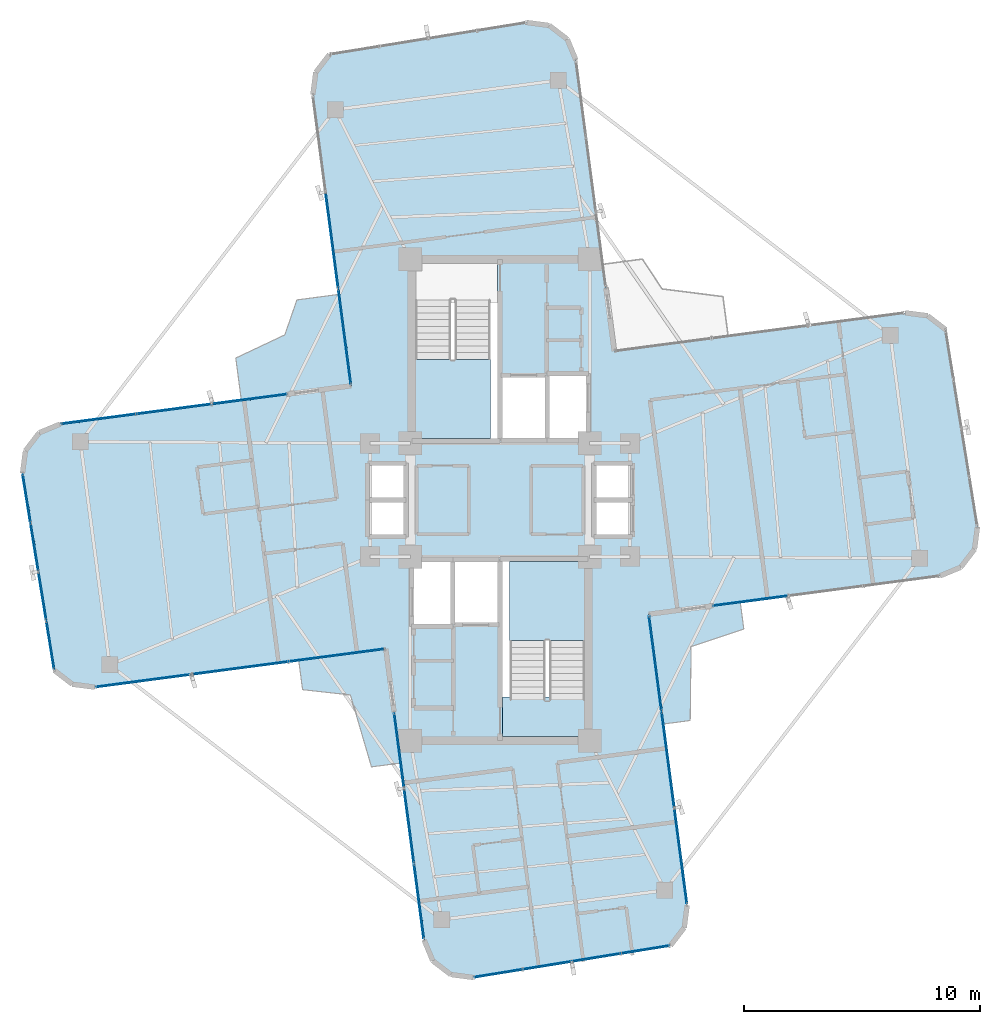
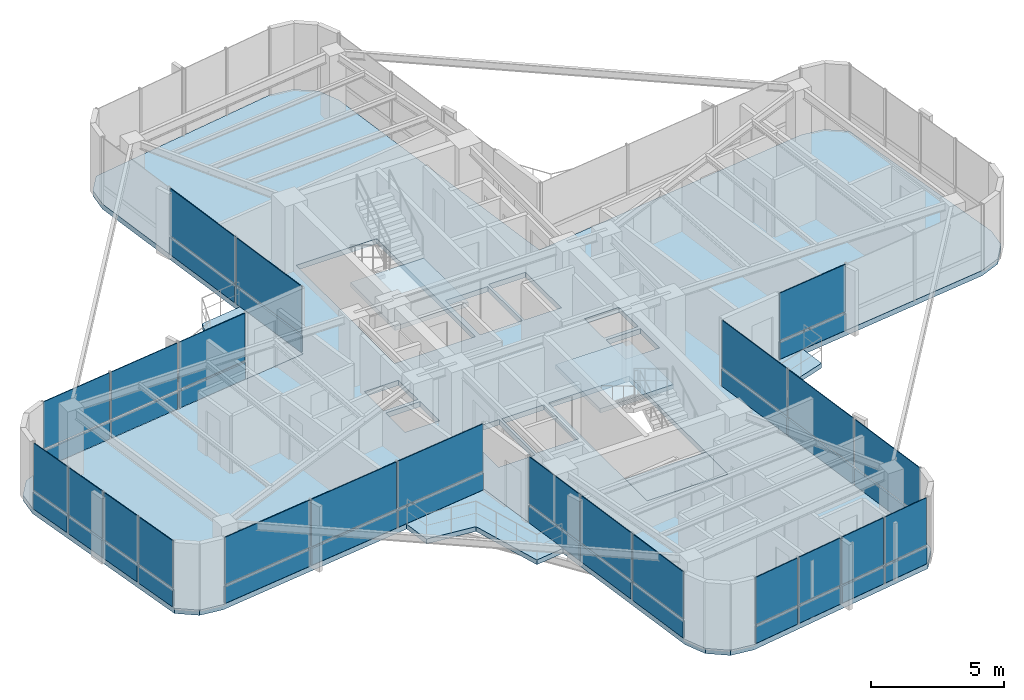
# One storey, part 17 of 22: 46 plates, 7 slabs, 10 elements without a shape of their own.
"""IFC4 building model written with IfcOpenShell, lengths in metres."""

from ifc_helpers import new_model, si_unit, direction, frame, origin, origin_2d, place, context, subcontext, project, spatial, polyline, rectangle, outline, extrude, source, transform, mapped, material, layer, layer_set, type_object, element, aggregate, save


model = new_model("IFC4")

# Units and contexts
model_context = context("Model", 3, precision=1e-05, world=origin(), true_north=direction((0.0, 1.0)))
body_context = subcontext(model_context, "Body", "Model", "MODEL_VIEW")
ifc_project = project(units=[si_unit("LENGTHUNIT", "METRE"), si_unit("AREAUNIT", "SQUARE_METRE"), si_unit("VOLUMEUNIT", "CUBIC_METRE"), si_unit("PLANEANGLEUNIT", "RADIAN"), si_unit("MASSUNIT", "GRAM", prefix="KILO")], contexts=[model_context])

# Site, building, storey
site_placement = place(None, origin())
site = spatial("IfcSite", under=ifc_project, at=site_placement, CompositionType="ELEMENT")
building_placement = place(site_placement, origin())
building = spatial("IfcBuilding", under=site, at=building_placement, Name="Sahyath Konkavel Grand Hotel", CompositionType="ELEMENT")
storey_placement = place(building_placement, frame((0.0, 0.0, 241.14990234375)))
storey = spatial("IfcBuildingStorey", under=building, at=storey_placement, Name="L67", CompositionType="ELEMENT", Elevation=241.14990234375)

# Slabs
ifc_material_1 = material(Name="Concrete C40/50", Category="concrete")
ifc_layer_1 = layer(ifc_material_1, 0.239990234375)
ifc_layer_set_1 = layer_set([ifc_layer_1], Name="Concrete C40/50")
slab_type_1 = type_object("IfcSlabType", Name="SLB-240", PredefinedType="FLOOR", material=ifc_layer_set_1)
slab_1_placement = place(storey_placement, frame((0.0, 0.0, -0.239990234375)))
element("IfcSlab", 1, at=slab_1_placement, inside=storey, type_object=slab_type_1, Name="L67 Structural Floor Slab", PredefinedType="FLOOR", context=body_context, shape_type="SweptSolid", body=[
    extrude(outline(polyline([(6.306640625, -4.839111328125), (18.63623046875, -3.216064453125), (19.52099609375, -2.849609375), (20.10400390625, -2.08984375), (20.22900390625, -1.140380859375), (18.8779296875, 7.221923828125), (18.118408203125, 7.8046875), (17.168701171875, 7.9296875), (4.839111328125, 6.306640625), (3.216064453125, 18.63623046875), (2.849609375, 19.52099609375), (2.08984375, 20.10400390625), (1.140380859375, 20.22900390625), (-7.221923828125, 18.8779296875), (-7.8046875, 18.118408203125), (-7.9296875, 17.168701171875), (-6.306640625, 4.839111328125), (-18.63623046875, 3.216064453125), (-19.52099609375, 2.849609375), (-20.10400390625, 2.08984375), (-20.22900390625, 1.140380859375), (-18.8779296875, -7.221923828125), (-18.118408203125, -7.8046875), (-17.168701171875, -7.9296875), (-4.839111328125, -6.306640625), (-3.216064453125, -18.63623046875), (-2.849609375, -19.52099609375), (-2.08984375, -20.10400390625), (-1.140380859375, -20.22900390625), (7.221923828125, -18.8779296875), (7.8046875, -18.118408203125), (7.9296875, -17.168701171875), (6.306640625, -4.839111328125)]), holes=[polyline([(-3.6201171875, 2.580078125), (-0.10009765625, 2.580078125), (-0.10009765625, 10.02001953125), (-3.6201171875, 10.02001953125), (-3.6201171875, 2.580078125)]), polyline([(0.10009765625, -10.02001953125), (3.6201171875, -10.02001953125), (3.6201171875, -2.580078125), (0.10009765625, -2.580078125), (0.10009765625, -10.02001953125)]), polyline([(0.10009765625, 2.60009765625), (1.949951171875, 2.60009765625), (1.949951171875, 5.199951171875), (0.10009765625, 5.199951171875), (0.10009765625, 2.60009765625)]), polyline([(-1.949951171875, -5.199951171875), (-0.10009765625, -5.199951171875), (-0.10009765625, -2.60009765625), (-1.949951171875, -2.60009765625), (-1.949951171875, -5.199951171875)]), polyline([(2.050048828125, 2.60009765625), (3.64990234375, 2.60009765625), (3.64990234375, 5.300048828125), (2.050048828125, 5.300048828125), (2.050048828125, 2.60009765625)]), polyline([(-3.64990234375, -5.300048828125), (-2.050048828125, -5.300048828125), (-2.050048828125, -2.60009765625), (-3.64990234375, -2.60009765625), (-3.64990234375, -5.300048828125)]), polyline([(4.050048828125, 0.080078125), (5.550048828125, 0.080078125), (5.550048828125, 1.5400390625), (4.050048828125, 1.5400390625), (4.050048828125, 0.080078125)]), polyline([(4.050048828125, -1.5400390625), (5.550048828125, -1.5400390625), (5.550048828125, -0.080078125), (4.050048828125, -0.080078125), (4.050048828125, -1.5400390625)]), polyline([(-5.550048828125, 0.080078125), (-4.050048828125, 0.080078125), (-4.050048828125, 1.5400390625), (-5.550048828125, 1.5400390625), (-5.550048828125, 0.080078125)]), polyline([(-5.550048828125, -1.5400390625), (-4.050048828125, -1.5400390625), (-4.050048828125, -0.080078125), (-5.550048828125, -0.080078125), (-5.550048828125, -1.5400390625)])]), origin(), (0.0, 0.0, 1.0), 0.239990234375),
])
ifc_layer_2 = layer(ifc_material_1, 0.219970703125)
ifc_layer_set_2 = layer_set([ifc_layer_2], Name="Concrete C40/50")
slab_type_2 = type_object("IfcSlabType", Name="SLB-BALCONY-220", PredefinedType="FLOOR", material=ifc_layer_set_2)
slab_2_placement = place(storey_placement, frame((0.0, 0.0, -0.219970703125)))
element("IfcSlab", 2, at=slab_2_placement, inside=storey, type_object=slab_type_2, Name="L67 Winter-Garden Balcony NW", PredefinedType="FLOOR", context=body_context, shape_type="SweptSolid", body=[
    extrude(outline(polyline([(-6.306640625, 4.839111328125), (-6.816650390625, 8.712890625), (-8.604736328125, 8.477294921875), (-9.1171875, 6.995849609375), (-11.19482421875, 6.014892578125), (-10.95947265625, 4.226806640625), (-6.306640625, 4.839111328125)])), origin(), (0.0, 0.0, 1.0), 0.219970703125),
])
slab_3_placement = place(storey_placement, frame((0.0, 0.0, -0.219970703125)))
element("IfcSlab", 3, at=slab_3_placement, inside=storey, type_object=slab_type_2, Name="L67 Winter-Garden Balcony SW", PredefinedType="FLOOR", context=body_context, shape_type="SweptSolid", body=[
    extrude(outline(polyline([(-4.839111328125, -6.306640625), (-8.5283203125, -6.792236328125), (-8.36474609375, -8.03515625), (-6.338134765625, -8.260009765625), (-5.4453125, -11.3076171875), (-4.202392578125, -11.143798828125), (-4.839111328125, -6.306640625)])), origin(), (0.0, 0.0, 1.0), 0.219970703125),
])
slab_4_placement = place(storey_placement, frame((0.0, 0.0, -0.219970703125)))
element("IfcSlab", 4, at=slab_4_placement, inside=storey, type_object=slab_type_2, Name="L67 Winter-Garden Balcony SE", PredefinedType="FLOOR", context=body_context, shape_type="SweptSolid", body=[
    extrude(outline(polyline([(6.306640625, -4.839111328125), (6.919189453125, -9.4921875), (8.0576171875, -9.34228515625), (8.09619140625, -6.21240234375), (10.330078125, -5.4677734375), (10.18017578125, -4.329345703125), (6.306640625, -4.839111328125)])), origin(), (0.0, 0.0, 1.0), 0.219970703125),
])

# Stair, slab
stair_type = type_object("IfcStairType", Name="STR-ST16-335", PredefinedType="HALF_TURN_STAIR", material=ifc_material_1)
stair_1_placement = place(storey_placement, origin())
stair_1 = element("IfcStair", 5, at=stair_1_placement, inside=storey, type_object=stair_type, Name="L67 North Core Smokeproof Exit Stair ST-1", PredefinedType="HALF_TURN_STAIR")
ifc_layer_3 = layer(ifc_material_1, 0.199951171875)
ifc_layer_set_3 = layer_set([ifc_layer_3], Name="Concrete C40/50")
slab_type_3 = type_object("IfcSlabType", Name="SLB-STAIR-LND", PredefinedType="LANDING", material=ifc_layer_set_3)
slab_5_placement = place(storey_placement, frame((0.0, 0.0, 1.47509765625)))
slab_5 = element("IfcSlab", 6, at=slab_5_placement, type_object=slab_type_3, Name="ST-1 landing 1", PredefinedType="LANDING", context=body_context, shape_type="SweptSolid", body=[
    extrude(outline(polyline([(-3.60009765625, 5.9599609375), (-3.60009765625, 2.60009765625), (-0.39990234375, 2.60009765625), (-0.39990234375, 5.9599609375), (-3.60009765625, 5.9599609375)])), origin(), (0.0, 0.0, 1.0), 0.199951171875),
])
aggregate(stair_1, [slab_5])

stair_2_placement = place(storey_placement, origin())
stair_2 = element("IfcStair", 7, at=stair_2_placement, inside=storey, type_object=stair_type, Name="L67 South Core Smokeproof Exit Stair ST-2", PredefinedType="HALF_TURN_STAIR")
slab_6_placement = place(storey_placement, frame((0.0, 0.0, 1.47509765625)))
slab_6 = element("IfcSlab", 8, at=slab_6_placement, type_object=slab_type_3, Name="ST-2 landing 1", PredefinedType="LANDING", context=body_context, shape_type="SweptSolid", body=[
    extrude(outline(polyline([(3.60009765625, -5.9599609375), (3.60009765625, -2.60009765625), (0.39990234375, -2.60009765625), (0.39990234375, -5.9599609375), (3.60009765625, -5.9599609375)])), origin(), (0.0, 0.0, 1.0), 0.199951171875),
])
aggregate(stair_2, [slab_6])

# Slab
slab_7_placement = place(storey_placement, frame((0.0, 0.0, -0.199951171875)))
element("IfcSlab", 9, at=slab_7_placement, inside=storey, type_object=slab_type_3, Name="L67 Stair ST-2 Floor Landing Slab", PredefinedType="LANDING", context=body_context, shape_type="SweptSolid", body=[
    extrude(outline(polyline([(0.10009765625, -10.02001953125), (3.6201171875, -10.02001953125), (3.6201171875, -8.35009765625), (0.10009765625, -8.35009765625), (0.10009765625, -10.02001953125)])), origin(), (0.0, 0.0, 1.0), 0.199951171875),
])

# Curtain wall, plate
ifc_material_2 = material(Name="Anodised Bronze Aluminium & Low-E Glazing", Category="aluminium")
curtain_wall_type = type_object("IfcCurtainWallType", Name="CW-ZONE4", PredefinedType="NOTDEFINED", material=ifc_material_2)
curtain_wall_1_placement = place(storey_placement, origin())
curtain_wall_1 = element("IfcCurtainWall", 10, at=curtain_wall_1_placement, inside=storey, type_object=curtain_wall_type, Name="L67 Unitised Curtain Wall F0", PredefinedType="NOTDEFINED")
ifc_material_3 = material(Name="Warm Buff Sandstone Cladding", Category="masonry")
ifc_layer_4 = layer(ifc_material_3, 0.074951171875)
ifc_layer_set_4 = layer_set([ifc_layer_4], Name="Warm Buff Sandstone Cladding")
plate_type_1 = type_object("IfcPlateType", Name="PNL-SPANDREL-STONE", PredefinedType="SHEET", material=ifc_layer_set_4)
shared_shape_1 = source(origin(), body_context, "Body", "SweptSolid", [
    extrude(rectangle(XDim=3.138671875, YDim=0.074951171875, at=origin_2d()), origin(), (0.0, 0.0, 1.0), 0.77001953125),
])
plate_1_placement = place(storey_placement, frame((10.61865234375, -4.271484375, 0.0400390625), z_axis=(0.0, 0.0, 1.0), x_axis=(0.991444861374, 0.13052619222, 0.0)))
plate_1 = element("IfcPlate", 11, at=plate_1_placement, type_object=plate_type_1, Name="L67 Sandstone Relief Spandrel Panel F0-0", PredefinedType="SHEET", context=body_context, shape_type="MappedRepresentation", body=[
    mapped(shared_shape_1, transform((0.0, 0.0, 0.0), scale=1.0)),
])

# Curtain wall, plates
curtain_wall_2_placement = place(storey_placement, origin())
curtain_wall_2 = element("IfcCurtainWall", 12, at=curtain_wall_2_placement, inside=storey, type_object=curtain_wall_type, Name="L67 Unitised Curtain Wall F16", PredefinedType="NOTDEFINED")
plate_2_placement = place(storey_placement, frame((-10.61865234375, 4.271484375, 0.0400390625), z_axis=(0.0, 0.0, 1.0), x_axis=(-0.991444861374, -0.13052619222, 0.0)))
plate_2 = element("IfcPlate", 13, at=plate_2_placement, type_object=plate_type_1, Name="L67 Sandstone Relief Spandrel Panel F16-0", PredefinedType="SHEET", context=body_context, shape_type="MappedRepresentation", body=[
    mapped(shared_shape_1, transform((0.0, 0.0, 0.0), scale=1.0)),
])
plate_3_placement = place(storey_placement, frame((-13.809814453125, 3.851318359375, 0.0400390625), z_axis=(0.0, 0.0, 1.0), x_axis=(-0.991444861374, -0.13052619222, 0.0)))
plate_3 = element("IfcPlate", 14, at=plate_3_placement, type_object=plate_type_1, Name="L67 Sandstone Relief Spandrel Panel F16-1", PredefinedType="SHEET", context=body_context, shape_type="MappedRepresentation", body=[
    mapped(shared_shape_1, transform((0.0, 0.0, 0.0), scale=1.0)),
])
plate_4_placement = place(storey_placement, frame((-17.0009765625, 3.431396484375, 0.0400390625), z_axis=(0.0, 0.0, 1.0), x_axis=(-0.991444861374, -0.13052619222, 0.0)))
plate_4 = element("IfcPlate", 15, at=plate_4_placement, type_object=plate_type_1, Name="L67 Sandstone Relief Spandrel Panel F16-2", PredefinedType="SHEET", context=body_context, shape_type="MappedRepresentation", body=[
    mapped(shared_shape_1, transform((0.0, 0.0, 0.0), scale=1.0)),
])

curtain_wall_3_placement = place(storey_placement, origin())
curtain_wall_3 = element("IfcCurtainWall", 16, at=curtain_wall_3_placement, inside=storey, type_object=curtain_wall_type, Name="L67 Unitised Curtain Wall F24", PredefinedType="NOTDEFINED")
plate_5_placement = place(storey_placement, frame((-4.271484375, -10.61865234375, 0.0400390625), z_axis=(0.0, 0.0, 1.0), x_axis=(0.13052619222, -0.991444861374, 0.0)))
plate_5 = element("IfcPlate", 17, at=plate_5_placement, type_object=plate_type_1, Name="L67 Sandstone Relief Spandrel Panel F24-0", PredefinedType="SHEET", context=body_context, shape_type="MappedRepresentation", body=[
    mapped(shared_shape_1, transform((0.0, 0.0, 0.0), scale=1.0)),
])
plate_6_placement = place(storey_placement, frame((-3.851318359375, -13.809814453125, 0.0400390625), z_axis=(0.0, 0.0, 1.0), x_axis=(0.13052619222, -0.991444861374, 0.0)))
plate_6 = element("IfcPlate", 18, at=plate_6_placement, type_object=plate_type_1, Name="L67 Sandstone Relief Spandrel Panel F24-1", PredefinedType="SHEET", context=body_context, shape_type="MappedRepresentation", body=[
    mapped(shared_shape_1, transform((0.0, 0.0, 0.0), scale=1.0)),
])
plate_7_placement = place(storey_placement, frame((-3.431396484375, -17.0009765625, 0.0400390625), z_axis=(0.0, 0.0, 1.0), x_axis=(0.13052619222, -0.991444861374, 0.0)))
plate_7 = element("IfcPlate", 19, at=plate_7_placement, type_object=plate_type_1, Name="L67 Sandstone Relief Spandrel Panel F24-2", PredefinedType="SHEET", context=body_context, shape_type="MappedRepresentation", body=[
    mapped(shared_shape_1, transform((0.0, 0.0, 0.0), scale=1.0)),
])

# Plate
ifc_material_4 = material(Name="Low-E Solar Control Double Glazing", Category="glass")
ifc_layer_5 = layer(ifc_material_4, 0.035888671875)
ifc_layer_set_5 = layer_set([ifc_layer_5], Name="Low-E Solar Control Double Glazing")
plate_type_2 = type_object("IfcPlateType", Name="PNL-VISION-LOWE", PredefinedType="CURTAIN_PANEL", material=ifc_layer_set_5)
shared_shape_2 = source(origin(), body_context, "Body", "SweptSolid", [
    extrude(rectangle(XDim=3.138671875, YDim=0.035888671875, at=origin_2d()), origin(), (0.0, 0.0, 1.0), 2.179931640625),
])
plate_8_placement = place(storey_placement, frame((10.61865234375, -4.271484375, 0.89013671875), z_axis=(0.0, 0.0, 1.0), x_axis=(0.991444861374, 0.13052619222, 0.0)))
plate_8 = element("IfcPlate", 20, at=plate_8_placement, type_object=plate_type_2, Name="L67 Low-E Vision Glazing Panel F0-0", PredefinedType="CURTAIN_PANEL", context=body_context, shape_type="MappedRepresentation", body=[
    mapped(shared_shape_2, transform((0.0, 0.0, 0.0), scale=1.0)),
])

aggregate(curtain_wall_1, [plate_1, plate_8])

plate_9_placement = place(storey_placement, frame((-10.61865234375, 4.271484375, 0.89013671875), z_axis=(0.0, 0.0, 1.0), x_axis=(-0.991444861374, -0.13052619222, 0.0)))
plate_9 = element("IfcPlate", 21, at=plate_9_placement, type_object=plate_type_2, Name="L67 Low-E Vision Glazing Panel F16-0", PredefinedType="CURTAIN_PANEL", context=body_context, shape_type="MappedRepresentation", body=[
    mapped(shared_shape_2, transform((0.0, 0.0, 0.0), scale=1.0)),
])

plate_10_placement = place(storey_placement, frame((-13.809814453125, 3.851318359375, 0.89013671875), z_axis=(0.0, 0.0, 1.0), x_axis=(-0.991444861374, -0.13052619222, 0.0)))
plate_10 = element("IfcPlate", 22, at=plate_10_placement, type_object=plate_type_2, Name="L67 Low-E Vision Glazing Panel F16-1", PredefinedType="CURTAIN_PANEL", context=body_context, shape_type="MappedRepresentation", body=[
    mapped(shared_shape_2, transform((0.0, 0.0, 0.0), scale=1.0)),
])

plate_11_placement = place(storey_placement, frame((-17.0009765625, 3.431396484375, 0.89013671875), z_axis=(0.0, 0.0, 1.0), x_axis=(-0.991444861374, -0.13052619222, 0.0)))
plate_11 = element("IfcPlate", 23, at=plate_11_placement, type_object=plate_type_2, Name="L67 Low-E Vision Glazing Panel F16-2", PredefinedType="CURTAIN_PANEL", context=body_context, shape_type="MappedRepresentation", body=[
    mapped(shared_shape_2, transform((0.0, 0.0, 0.0), scale=1.0)),
])

aggregate(curtain_wall_2, [plate_2, plate_9, plate_3, plate_10, plate_4, plate_11])

plate_12_placement = place(storey_placement, frame((-4.271484375, -10.61865234375, 0.89013671875), z_axis=(0.0, 0.0, 1.0), x_axis=(0.13052619222, -0.991444861374, 0.0)))
plate_12 = element("IfcPlate", 24, at=plate_12_placement, type_object=plate_type_2, Name="L67 Low-E Vision Glazing Panel F24-0", PredefinedType="CURTAIN_PANEL", context=body_context, shape_type="MappedRepresentation", body=[
    mapped(shared_shape_2, transform((0.0, 0.0, 0.0), scale=1.0)),
])

plate_13_placement = place(storey_placement, frame((-3.851318359375, -13.809814453125, 0.89013671875), z_axis=(0.0, 0.0, 1.0), x_axis=(0.13052619222, -0.991444861374, 0.0)))
plate_13 = element("IfcPlate", 25, at=plate_13_placement, type_object=plate_type_2, Name="L67 Low-E Vision Glazing Panel F24-1", PredefinedType="CURTAIN_PANEL", context=body_context, shape_type="MappedRepresentation", body=[
    mapped(shared_shape_2, transform((0.0, 0.0, 0.0), scale=1.0)),
])

plate_14_placement = place(storey_placement, frame((-3.431396484375, -17.0009765625, 0.89013671875), z_axis=(0.0, 0.0, 1.0), x_axis=(0.13052619222, -0.991444861374, 0.0)))
plate_14 = element("IfcPlate", 26, at=plate_14_placement, type_object=plate_type_2, Name="L67 Low-E Vision Glazing Panel F24-2", PredefinedType="CURTAIN_PANEL", context=body_context, shape_type="MappedRepresentation", body=[
    mapped(shared_shape_2, transform((0.0, 0.0, 0.0), scale=1.0)),
])

aggregate(curtain_wall_3, [plate_5, plate_12, plate_6, plate_13, plate_7, plate_14])

# Curtain wall, plates
curtain_wall_4_placement = place(storey_placement, origin())
curtain_wall_4 = element("IfcCurtainWall", 27, at=curtain_wall_4_placement, inside=storey, type_object=curtain_wall_type, Name="L67 Unitised Curtain Wall F20", PredefinedType="NOTDEFINED")
shared_shape_3 = source(origin(), body_context, "Body", "SweptSolid", [
    extrude(rectangle(XDim=2.017578125, YDim=0.074951171875, at=origin_2d()), origin(), (0.0, 0.0, 1.0), 0.77001953125),
])
plate_15_placement = place(storey_placement, frame((-20.055419921875, 0.0654296875, 0.0400390625), z_axis=(0.0, 0.0, 1.0), x_axis=(0.159484912927, -0.987200365959, 0.0)))
plate_15 = element("IfcPlate", 28, at=plate_15_placement, type_object=plate_type_1, Name="L67 Sandstone Relief Spandrel Panel F20-0", PredefinedType="SHEET", context=body_context, shape_type="MappedRepresentation", body=[
    mapped(shared_shape_3, transform((0.0, 0.0, 0.0), scale=1.0)),
])
plate_16_placement = place(storey_placement, frame((-19.720703125, -2.00537109375, 0.0400390625), z_axis=(0.0, 0.0, 1.0), x_axis=(0.159484912927, -0.987200365959, 0.0)))
plate_16 = element("IfcPlate", 29, at=plate_16_placement, type_object=plate_type_1, Name="L67 Sandstone Relief Spandrel Panel F20-1", PredefinedType="SHEET", context=body_context, shape_type="MappedRepresentation", body=[
    mapped(shared_shape_3, transform((0.0, 0.0, 0.0), scale=1.0)),
])
plate_17_placement = place(storey_placement, frame((-19.38623046875, -4.076171875, 0.0400390625), z_axis=(0.0, 0.0, 1.0), x_axis=(0.159484912927, -0.987200365959, 0.0)))
plate_17 = element("IfcPlate", 30, at=plate_17_placement, type_object=plate_type_1, Name="L67 Sandstone Relief Spandrel Panel F20-2", PredefinedType="SHEET", context=body_context, shape_type="MappedRepresentation", body=[
    mapped(shared_shape_3, transform((0.0, 0.0, 0.0), scale=1.0)),
])
plate_18_placement = place(storey_placement, frame((-19.0517578125, -6.14697265625, 0.0400390625), z_axis=(0.0, 0.0, 1.0), x_axis=(0.159484912927, -0.987200365959, 0.0)))
plate_18 = element("IfcPlate", 31, at=plate_18_placement, type_object=plate_type_1, Name="L67 Sandstone Relief Spandrel Panel F20-3", PredefinedType="SHEET", context=body_context, shape_type="MappedRepresentation", body=[
    mapped(shared_shape_3, transform((0.0, 0.0, 0.0), scale=1.0)),
])

curtain_wall_5_placement = place(storey_placement, origin())
curtain_wall_5 = element("IfcCurtainWall", 32, at=curtain_wall_5_placement, inside=storey, type_object=curtain_wall_type, Name="L67 Unitised Curtain Wall F28", PredefinedType="NOTDEFINED")
plate_19_placement = place(storey_placement, frame((-0.0654296875, -20.055419921875, 0.0400390625), z_axis=(0.0, 0.0, 1.0), x_axis=(0.987200365959, 0.159484912927, 0.0)))
plate_19 = element("IfcPlate", 33, at=plate_19_placement, type_object=plate_type_1, Name="L67 Sandstone Relief Spandrel Panel F28-0", PredefinedType="SHEET", context=body_context, shape_type="MappedRepresentation", body=[
    mapped(shared_shape_3, transform((0.0, 0.0, 0.0), scale=1.0)),
])
plate_20_placement = place(storey_placement, frame((2.00537109375, -19.720703125, 0.0400390625), z_axis=(0.0, 0.0, 1.0), x_axis=(0.987200365959, 0.159484912927, 0.0)))
plate_20 = element("IfcPlate", 34, at=plate_20_placement, type_object=plate_type_1, Name="L67 Sandstone Relief Spandrel Panel F28-1", PredefinedType="SHEET", context=body_context, shape_type="MappedRepresentation", body=[
    mapped(shared_shape_3, transform((0.0, 0.0, 0.0), scale=1.0)),
])
plate_21_placement = place(storey_placement, frame((4.076171875, -19.38623046875, 0.0400390625), z_axis=(0.0, 0.0, 1.0), x_axis=(0.987200365959, 0.159484912927, 0.0)))
plate_21 = element("IfcPlate", 35, at=plate_21_placement, type_object=plate_type_1, Name="L67 Sandstone Relief Spandrel Panel F28-2", PredefinedType="SHEET", context=body_context, shape_type="MappedRepresentation", body=[
    mapped(shared_shape_3, transform((0.0, 0.0, 0.0), scale=1.0)),
])
plate_22_placement = place(storey_placement, frame((6.14697265625, -19.0517578125, 0.0400390625), z_axis=(0.0, 0.0, 1.0), x_axis=(0.987200365959, 0.159484912927, 0.0)))
plate_22 = element("IfcPlate", 36, at=plate_22_placement, type_object=plate_type_1, Name="L67 Sandstone Relief Spandrel Panel F28-3", PredefinedType="SHEET", context=body_context, shape_type="MappedRepresentation", body=[
    mapped(shared_shape_3, transform((0.0, 0.0, 0.0), scale=1.0)),
])

# Plate
shared_shape_4 = source(origin(), body_context, "Body", "SweptSolid", [
    extrude(rectangle(XDim=2.017578125, YDim=0.035888671875, at=origin_2d()), origin(), (0.0, 0.0, 1.0), 2.179931640625),
])
plate_23_placement = place(storey_placement, frame((-20.055419921875, 0.0654296875, 0.89013671875), z_axis=(0.0, 0.0, 1.0), x_axis=(0.159484912927, -0.987200365959, 0.0)))
plate_23 = element("IfcPlate", 37, at=plate_23_placement, type_object=plate_type_2, Name="L67 Low-E Vision Glazing Panel F20-0", PredefinedType="CURTAIN_PANEL", context=body_context, shape_type="MappedRepresentation", body=[
    mapped(shared_shape_4, transform((0.0, 0.0, 0.0), scale=1.0)),
])

plate_24_placement = place(storey_placement, frame((-19.720703125, -2.00537109375, 0.89013671875), z_axis=(0.0, 0.0, 1.0), x_axis=(0.159484912927, -0.987200365959, 0.0)))
plate_24 = element("IfcPlate", 38, at=plate_24_placement, type_object=plate_type_2, Name="L67 Low-E Vision Glazing Panel F20-1", PredefinedType="CURTAIN_PANEL", context=body_context, shape_type="MappedRepresentation", body=[
    mapped(shared_shape_4, transform((0.0, 0.0, 0.0), scale=1.0)),
])

plate_25_placement = place(storey_placement, frame((-19.38623046875, -4.076171875, 0.89013671875), z_axis=(0.0, 0.0, 1.0), x_axis=(0.159484912927, -0.987200365959, 0.0)))
plate_25 = element("IfcPlate", 39, at=plate_25_placement, type_object=plate_type_2, Name="L67 Low-E Vision Glazing Panel F20-2", PredefinedType="CURTAIN_PANEL", context=body_context, shape_type="MappedRepresentation", body=[
    mapped(shared_shape_4, transform((0.0, 0.0, 0.0), scale=1.0)),
])

plate_26_placement = place(storey_placement, frame((-19.0517578125, -6.14697265625, 0.89013671875), z_axis=(0.0, 0.0, 1.0), x_axis=(0.159484912927, -0.987200365959, 0.0)))
plate_26 = element("IfcPlate", 40, at=plate_26_placement, type_object=plate_type_2, Name="L67 Low-E Vision Glazing Panel F20-3", PredefinedType="CURTAIN_PANEL", context=body_context, shape_type="MappedRepresentation", body=[
    mapped(shared_shape_4, transform((0.0, 0.0, 0.0), scale=1.0)),
])

aggregate(curtain_wall_4, [plate_15, plate_23, plate_16, plate_24, plate_17, plate_25, plate_18, plate_26])

plate_27_placement = place(storey_placement, frame((-0.0654296875, -20.055419921875, 0.89013671875), z_axis=(0.0, 0.0, 1.0), x_axis=(0.987200365959, 0.159484912927, 0.0)))
plate_27 = element("IfcPlate", 41, at=plate_27_placement, type_object=plate_type_2, Name="L67 Low-E Vision Glazing Panel F28-0", PredefinedType="CURTAIN_PANEL", context=body_context, shape_type="MappedRepresentation", body=[
    mapped(shared_shape_4, transform((0.0, 0.0, 0.0), scale=1.0)),
])

plate_28_placement = place(storey_placement, frame((2.00537109375, -19.720703125, 0.89013671875), z_axis=(0.0, 0.0, 1.0), x_axis=(0.987200365959, 0.159484912927, 0.0)))
plate_28 = element("IfcPlate", 42, at=plate_28_placement, type_object=plate_type_2, Name="L67 Low-E Vision Glazing Panel F28-1", PredefinedType="CURTAIN_PANEL", context=body_context, shape_type="MappedRepresentation", body=[
    mapped(shared_shape_4, transform((0.0, 0.0, 0.0), scale=1.0)),
])

plate_29_placement = place(storey_placement, frame((4.076171875, -19.38623046875, 0.89013671875), z_axis=(0.0, 0.0, 1.0), x_axis=(0.987200365959, 0.159484912927, 0.0)))
plate_29 = element("IfcPlate", 43, at=plate_29_placement, type_object=plate_type_2, Name="L67 Low-E Vision Glazing Panel F28-2", PredefinedType="CURTAIN_PANEL", context=body_context, shape_type="MappedRepresentation", body=[
    mapped(shared_shape_4, transform((0.0, 0.0, 0.0), scale=1.0)),
])

plate_30_placement = place(storey_placement, frame((6.14697265625, -19.0517578125, 0.89013671875), z_axis=(0.0, 0.0, 1.0), x_axis=(0.987200365959, 0.159484912927, 0.0)))
plate_30 = element("IfcPlate", 44, at=plate_30_placement, type_object=plate_type_2, Name="L67 Low-E Vision Glazing Panel F28-3", PredefinedType="CURTAIN_PANEL", context=body_context, shape_type="MappedRepresentation", body=[
    mapped(shared_shape_4, transform((0.0, 0.0, 0.0), scale=1.0)),
])

aggregate(curtain_wall_5, [plate_19, plate_27, plate_20, plate_28, plate_21, plate_29, plate_22, plate_30])

# Curtain wall, plates
curtain_wall_6_placement = place(storey_placement, origin())
curtain_wall_6 = element("IfcCurtainWall", 45, at=curtain_wall_6_placement, inside=storey, type_object=curtain_wall_type, Name="L67 Unitised Curtain Wall F15", PredefinedType="NOTDEFINED")
shared_shape_5 = source(origin(), body_context, "Body", "SweptSolid", [
    extrude(rectangle(XDim=4.038818359375, YDim=0.074951171875, at=origin_2d()), origin(), (0.0, 0.0, 1.0), 0.77001953125),
])
plate_31_placement = place(storey_placement, frame((-7.1181640625, 11.00390625, 0.0400390625), z_axis=(0.0, 0.0, 1.0), x_axis=(0.13052619222, -0.991444861374, 0.0)))
plate_31 = element("IfcPlate", 46, at=plate_31_placement, type_object=plate_type_1, Name="L67 Sandstone Relief Spandrel Panel F15-1", PredefinedType="SHEET", context=body_context, shape_type="MappedRepresentation", body=[
    mapped(shared_shape_5, transform((0.0, 0.0, 0.0), scale=1.0)),
])
plate_32_placement = place(storey_placement, frame((-6.58056640625, 6.920654296875, 0.0400390625), z_axis=(0.0, 0.0, 1.0), x_axis=(0.13052619222, -0.991444861374, 0.0)))
plate_32 = element("IfcPlate", 47, at=plate_32_placement, type_object=plate_type_1, Name="L67 Sandstone Relief Spandrel Panel F15-2", PredefinedType="SHEET", context=body_context, shape_type="MappedRepresentation", body=[
    mapped(shared_shape_5, transform((0.0, 0.0, 0.0), scale=1.0)),
])

curtain_wall_7_placement = place(storey_placement, origin())
curtain_wall_7 = element("IfcCurtainWall", 48, at=curtain_wall_7_placement, inside=storey, type_object=curtain_wall_type, Name="L67 Unitised Curtain Wall F23", PredefinedType="NOTDEFINED")
plate_33_placement = place(storey_placement, frame((-15.08740234375, -7.65576171875, 0.0400390625), z_axis=(0.0, 0.0, 1.0), x_axis=(0.991444861374, 0.13052619222, 0.0)))
plate_33 = element("IfcPlate", 49, at=plate_33_placement, type_object=plate_type_1, Name="L67 Sandstone Relief Spandrel Panel F23-0", PredefinedType="SHEET", context=body_context, shape_type="MappedRepresentation", body=[
    mapped(shared_shape_5, transform((0.0, 0.0, 0.0), scale=1.0)),
])
plate_34_placement = place(storey_placement, frame((-11.00390625, -7.1181640625, 0.0400390625), z_axis=(0.0, 0.0, 1.0), x_axis=(0.991444861374, 0.13052619222, 0.0)))
plate_34 = element("IfcPlate", 50, at=plate_34_placement, type_object=plate_type_1, Name="L67 Sandstone Relief Spandrel Panel F23-1", PredefinedType="SHEET", context=body_context, shape_type="MappedRepresentation", body=[
    mapped(shared_shape_5, transform((0.0, 0.0, 0.0), scale=1.0)),
])
plate_35_placement = place(storey_placement, frame((-6.920654296875, -6.58056640625, 0.0400390625), z_axis=(0.0, 0.0, 1.0), x_axis=(0.991444861374, 0.13052619222, 0.0)))
plate_35 = element("IfcPlate", 51, at=plate_35_placement, type_object=plate_type_1, Name="L67 Sandstone Relief Spandrel Panel F23-2", PredefinedType="SHEET", context=body_context, shape_type="MappedRepresentation", body=[
    mapped(shared_shape_5, transform((0.0, 0.0, 0.0), scale=1.0)),
])

curtain_wall_8_placement = place(storey_placement, origin())
curtain_wall_8 = element("IfcCurtainWall", 52, at=curtain_wall_8_placement, inside=storey, type_object=curtain_wall_type, Name="L67 Unitised Curtain Wall F31", PredefinedType="NOTDEFINED")
plate_36_placement = place(storey_placement, frame((7.65576171875, -15.08740234375, 0.0400390625), z_axis=(0.0, 0.0, 1.0), x_axis=(-0.13052619222, 0.991444861374, 0.0)))
plate_36 = element("IfcPlate", 53, at=plate_36_placement, type_object=plate_type_1, Name="L67 Sandstone Relief Spandrel Panel F31-0", PredefinedType="SHEET", context=body_context, shape_type="MappedRepresentation", body=[
    mapped(shared_shape_5, transform((0.0, 0.0, 0.0), scale=1.0)),
])
plate_37_placement = place(storey_placement, frame((7.1181640625, -11.00390625, 0.0400390625), z_axis=(0.0, 0.0, 1.0), x_axis=(-0.13052619222, 0.991444861374, 0.0)))
plate_37 = element("IfcPlate", 54, at=plate_37_placement, type_object=plate_type_1, Name="L67 Sandstone Relief Spandrel Panel F31-1", PredefinedType="SHEET", context=body_context, shape_type="MappedRepresentation", body=[
    mapped(shared_shape_5, transform((0.0, 0.0, 0.0), scale=1.0)),
])
plate_38_placement = place(storey_placement, frame((6.58056640625, -6.920654296875, 0.0400390625), z_axis=(0.0, 0.0, 1.0), x_axis=(-0.13052619222, 0.991444861374, 0.0)))
plate_38 = element("IfcPlate", 55, at=plate_38_placement, type_object=plate_type_1, Name="L67 Sandstone Relief Spandrel Panel F31-2", PredefinedType="SHEET", context=body_context, shape_type="MappedRepresentation", body=[
    mapped(shared_shape_5, transform((0.0, 0.0, 0.0), scale=1.0)),
])

# Plate
shared_shape_6 = source(origin(), body_context, "Body", "SweptSolid", [
    extrude(rectangle(XDim=4.038818359375, YDim=0.035888671875, at=origin_2d()), origin(), (0.0, 0.0, 1.0), 2.179931640625),
])
plate_39_placement = place(storey_placement, frame((-7.1181640625, 11.00390625, 0.89013671875), z_axis=(0.0, 0.0, 1.0), x_axis=(0.13052619222, -0.991444861374, 0.0)))
plate_39 = element("IfcPlate", 56, at=plate_39_placement, type_object=plate_type_2, Name="L67 Low-E Vision Glazing Panel F15-1", PredefinedType="CURTAIN_PANEL", context=body_context, shape_type="MappedRepresentation", body=[
    mapped(shared_shape_6, transform((0.0, 0.0, 0.0), scale=1.0)),
])

plate_40_placement = place(storey_placement, frame((-6.58056640625, 6.920654296875, 0.89013671875), z_axis=(0.0, 0.0, 1.0), x_axis=(0.13052619222, -0.991444861374, 0.0)))
plate_40 = element("IfcPlate", 57, at=plate_40_placement, type_object=plate_type_2, Name="L67 Low-E Vision Glazing Panel F15-2", PredefinedType="CURTAIN_PANEL", context=body_context, shape_type="MappedRepresentation", body=[
    mapped(shared_shape_6, transform((0.0, 0.0, 0.0), scale=1.0)),
])

aggregate(curtain_wall_6, [plate_31, plate_39, plate_32, plate_40])

plate_41_placement = place(storey_placement, frame((-15.08740234375, -7.65576171875, 0.89013671875), z_axis=(0.0, 0.0, 1.0), x_axis=(0.991444861374, 0.13052619222, 0.0)))
plate_41 = element("IfcPlate", 58, at=plate_41_placement, type_object=plate_type_2, Name="L67 Low-E Vision Glazing Panel F23-0", PredefinedType="CURTAIN_PANEL", context=body_context, shape_type="MappedRepresentation", body=[
    mapped(shared_shape_6, transform((0.0, 0.0, 0.0), scale=1.0)),
])

plate_42_placement = place(storey_placement, frame((-11.00390625, -7.1181640625, 0.89013671875), z_axis=(0.0, 0.0, 1.0), x_axis=(0.991444861374, 0.13052619222, 0.0)))
plate_42 = element("IfcPlate", 59, at=plate_42_placement, type_object=plate_type_2, Name="L67 Low-E Vision Glazing Panel F23-1", PredefinedType="CURTAIN_PANEL", context=body_context, shape_type="MappedRepresentation", body=[
    mapped(shared_shape_6, transform((0.0, 0.0, 0.0), scale=1.0)),
])

plate_43_placement = place(storey_placement, frame((-6.920654296875, -6.58056640625, 0.89013671875), z_axis=(0.0, 0.0, 1.0), x_axis=(0.991444861374, 0.13052619222, 0.0)))
plate_43 = element("IfcPlate", 60, at=plate_43_placement, type_object=plate_type_2, Name="L67 Low-E Vision Glazing Panel F23-2", PredefinedType="CURTAIN_PANEL", context=body_context, shape_type="MappedRepresentation", body=[
    mapped(shared_shape_6, transform((0.0, 0.0, 0.0), scale=1.0)),
])

aggregate(curtain_wall_7, [plate_33, plate_41, plate_34, plate_42, plate_35, plate_43])

plate_44_placement = place(storey_placement, frame((7.65576171875, -15.08740234375, 0.89013671875), z_axis=(0.0, 0.0, 1.0), x_axis=(-0.13052619222, 0.991444861374, 0.0)))
plate_44 = element("IfcPlate", 61, at=plate_44_placement, type_object=plate_type_2, Name="L67 Low-E Vision Glazing Panel F31-0", PredefinedType="CURTAIN_PANEL", context=body_context, shape_type="MappedRepresentation", body=[
    mapped(shared_shape_6, transform((0.0, 0.0, 0.0), scale=1.0)),
])

plate_45_placement = place(storey_placement, frame((7.1181640625, -11.00390625, 0.89013671875), z_axis=(0.0, 0.0, 1.0), x_axis=(-0.13052619222, 0.991444861374, 0.0)))
plate_45 = element("IfcPlate", 62, at=plate_45_placement, type_object=plate_type_2, Name="L67 Low-E Vision Glazing Panel F31-1", PredefinedType="CURTAIN_PANEL", context=body_context, shape_type="MappedRepresentation", body=[
    mapped(shared_shape_6, transform((0.0, 0.0, 0.0), scale=1.0)),
])

plate_46_placement = place(storey_placement, frame((6.58056640625, -6.920654296875, 0.89013671875), z_axis=(0.0, 0.0, 1.0), x_axis=(-0.13052619222, 0.991444861374, 0.0)))
plate_46 = element("IfcPlate", 63, at=plate_46_placement, type_object=plate_type_2, Name="L67 Low-E Vision Glazing Panel F31-2", PredefinedType="CURTAIN_PANEL", context=body_context, shape_type="MappedRepresentation", body=[
    mapped(shared_shape_6, transform((0.0, 0.0, 0.0), scale=1.0)),
])

aggregate(curtain_wall_8, [plate_36, plate_44, plate_37, plate_45, plate_38, plate_46])

save(model, "model.ifc")
